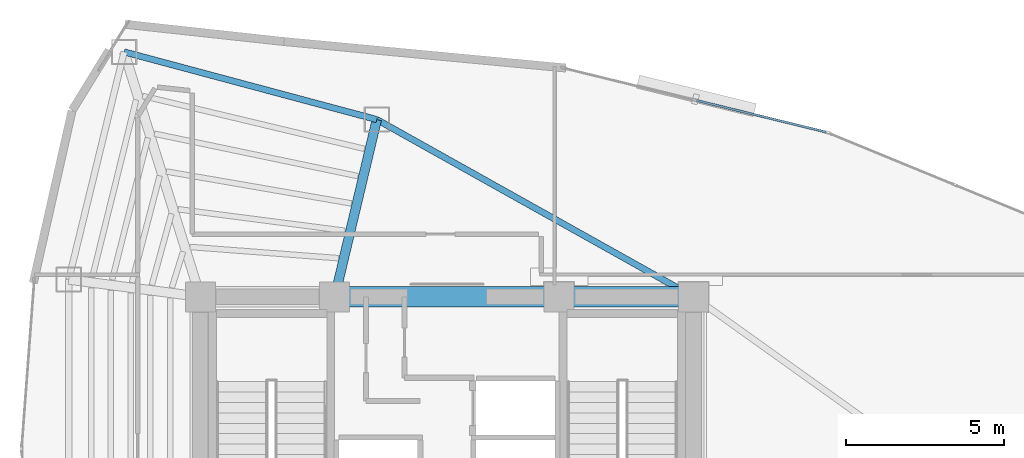
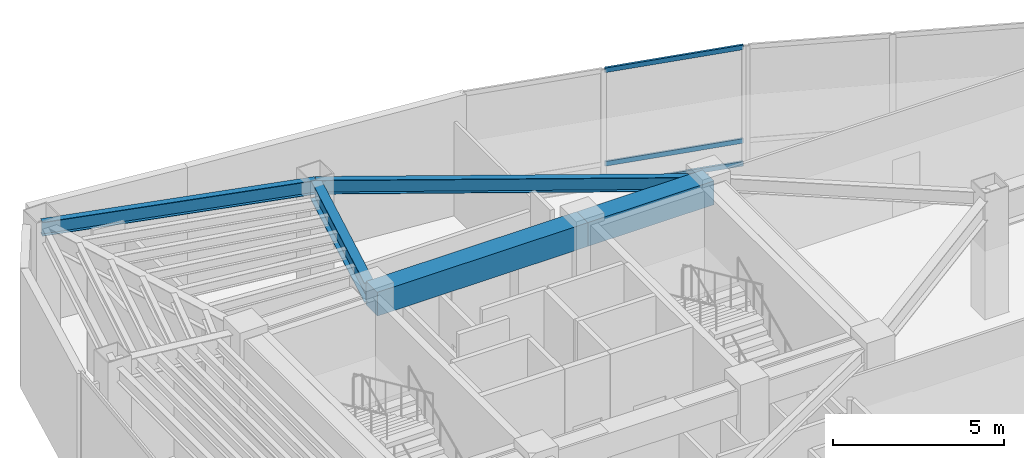
# One storey, part 9 of 17: 5 beams, 3 members, 1 element without a shape of its own.
"""IFC4 building model written with IfcOpenShell, lengths in metres."""

from ifc_helpers import new_model, si_unit, direction, frame, origin, origin_2d, place, context, subcontext, project, spatial, rectangle, hollow_rectangle, i_section, extrude, material, layer, layer_set, material_profile, profile_set, type_object, element, aggregate, save


model = new_model("IFC4")

# Units and contexts
model_context = context("Model", 3, precision=1e-05, world=origin(), true_north=direction((0.0, 1.0)))
body_context = subcontext(model_context, "Body", "Model", "MODEL_VIEW")
ifc_project = project(units=[si_unit("LENGTHUNIT", "METRE"), si_unit("AREAUNIT", "SQUARE_METRE"), si_unit("VOLUMEUNIT", "CUBIC_METRE"), si_unit("PLANEANGLEUNIT", "RADIAN"), si_unit("MASSUNIT", "GRAM", prefix="KILO")], contexts=[model_context])

# Site, building, storey
site_placement = place(None, origin())
site = spatial("IfcSite", under=ifc_project, at=site_placement, CompositionType="ELEMENT")
building_placement = place(site_placement, origin())
building = spatial("IfcBuilding", under=site, at=building_placement, Name="Menara Vayukalpa", CompositionType="ELEMENT")
storey_placement = place(building_placement, frame((0.0, 0.0, 238.139892578125)))
storey = spatial("IfcBuildingStorey", under=building, at=storey_placement, Name="L60", CompositionType="ELEMENT", Elevation=238.139892578125)

# Beams
ifc_material_1 = material(Name="Concrete C60/75", Category="concrete")
ifc_material_profile_1 = material_profile(ifc_material_1, rectangle(XDim=0.64990234375, YDim=0.85009765625, at=origin_2d()), Name="RC 650x850")
ifc_profile_set_1 = profile_set([ifc_material_profile_1], Name="Concrete C60/75")
beam_type_1 = type_object("IfcBeamType", Name="BM-CB1", PredefinedType="BEAM", material=ifc_profile_set_1)
beam_1_placement = place(storey_placement, frame((22.050048828125, 26.800048828125, 3.795166015625), z_axis=(1.0, 0.0, 0.0), x_axis=(0.0, 1.0, 0.0)))
element("IfcBeam", 1, at=beam_1_placement, inside=storey, type_object=beam_type_1, Name="L60 Core Tie Beam CBR5", PredefinedType="BEAM", context=body_context, shape_type="SweptSolid", body=[
    extrude(rectangle(XDim=0.64990234375, YDim=0.85009765625, at=origin_2d()), origin(), (0.0, 0.0, 1.0), 7.099853515625),
])
beam_2_placement = place(storey_placement, frame((29.14990234375, 26.800048828125, 3.795166015625), z_axis=(1.0, 0.0, 0.0), x_axis=(0.0, 1.0, 0.0)))
element("IfcBeam", 2, at=beam_2_placement, inside=storey, type_object=beam_type_1, Name="L60 Core Tie Beam CBR6", PredefinedType="BEAM", context=body_context, shape_type="SweptSolid", body=[
    extrude(rectangle(XDim=0.64990234375, YDim=0.85009765625, at=origin_2d()), origin(), (0.0, 0.0, 1.0), 4.25),
])
ifc_material_2 = material(Name="Steel S355", Category="steel")
ifc_material_profile_2 = material_profile(ifc_material_2, i_section(OverallWidth=0.300048828125, OverallDepth=0.699951171875, WebThickness=0.012939453125, FlangeThickness=0.02392578125, at=origin_2d()), Name="WF 700x300x13x24")
ifc_profile_set_2 = profile_set([ifc_material_profile_2], Name="Steel S355")
beam_type_2 = type_object("IfcBeamType", Name="BM-PG5", PredefinedType="BEAM", material=ifc_profile_set_2)
beam_3_placement = place(storey_placement, frame((22.10791015625, 27.043212890625, 3.8701171875), z_axis=(0.231167310854, 0.972914011818, 0.0), x_axis=(-0.972914011818, 0.231167310854, 0.0)))
element("IfcBeam", 3, at=beam_3_placement, inside=storey, type_object=beam_type_2, Name="L60 Primary Radial Girder RG03", PredefinedType="BEAM", context=body_context, shape_type="SweptSolid", body=[
    extrude(i_section(OverallWidth=0.300048828125, OverallDepth=0.699951171875, WebThickness=0.012939453125, FlangeThickness=0.02392578125, at=origin_2d()), origin(), (0.0, 0.0, 1.0), 5.5107421875),
])
ifc_material_3 = material(Name="Steel S355", Category="steel")
ifc_material_profile_3 = material_profile(ifc_material_3, i_section(OverallWidth=0.199951171875, OverallDepth=0.5, WebThickness=0.010009765625, FlangeThickness=0.01611328125, at=origin_2d()), Name="WF 500x200x10x16")
ifc_profile_set_3 = profile_set([ifc_material_profile_3], Name="Steel S355")
beam_type_3 = type_object("IfcBeamType", Name="BM-SP3", PredefinedType="SPANDREL", material=ifc_profile_set_3)
beam_4_placement = place(storey_placement, frame((33.39990234375, 26.800048828125, 3.97021484375), z_axis=(-0.87270577288, 0.48824648896, 0.0), x_axis=(-0.48824648896, -0.87270577288, 0.0)))
element("IfcBeam", 4, at=beam_4_placement, inside=storey, type_object=beam_type_3, Name="L60 Perimeter Spandrel Beam SP02", PredefinedType="SPANDREL", context=body_context, shape_type="SweptSolid", body=[
    extrude(i_section(OverallWidth=0.199951171875, OverallDepth=0.5, WebThickness=0.010009765625, FlangeThickness=0.01611328125, at=origin_2d()), origin(), (0.0, 0.0, 1.0), 11.479248046875),
])
beam_5_placement = place(storey_placement, frame((23.3818359375, 32.40478515625, 3.97021484375), z_axis=(-0.965978332552, 0.258623009494, 0.0), x_axis=(-0.258623009494, -0.965978332552, 0.0)))
element("IfcBeam", 5, at=beam_5_placement, inside=storey, type_object=beam_type_3, Name="L60 Perimeter Spandrel Beam SP03", PredefinedType="SPANDREL", context=body_context, shape_type="SweptSolid", body=[
    extrude(i_section(OverallWidth=0.199951171875, OverallDepth=0.5, WebThickness=0.010009765625, FlangeThickness=0.01611328125, at=origin_2d()), origin(), (0.0, 0.0, 1.0), 8.274169921875),
])

# Curtain wall, members
ifc_material_4 = material(Name="Anodised Terracotta Aluminium Alloy 6063-T6", Category="masonry")
ifc_layer = layer(ifc_material_4, 0.179931640625)
ifc_layer_set = layer_set([ifc_layer], Name="Anodised Terracotta Aluminium Alloy 6063-T6")
curtain_wall_type = type_object("IfcCurtainWallType", Name="CW-CW4", PredefinedType="USERDEFINED", material=ifc_layer_set)
curtain_wall_placement = place(storey_placement, origin())
curtain_wall = element("IfcCurtainWall", 6, at=curtain_wall_placement, inside=storey, type_object=curtain_wall_type, Name="L60 Sky Bar Cantilever Glazed Curtain Wall CW4 05", ObjectType="UNITISED", PredefinedType="USERDEFINED")
ifc_material_5 = material(Name="Anodised Terracotta Aluminium Alloy 6063-T6", Category="masonry")
ifc_material_profile_4 = material_profile(ifc_material_5, hollow_rectangle(XDim=0.070068359375, YDim=0.1650390625, WallThickness=0.00390625, at=origin_2d()), Name="ALU 70x165x4")
ifc_profile_set_4 = profile_set([ifc_material_profile_4], Name="Anodised Terracotta Aluminium Alloy 6063-T6")
member_type = type_object("IfcMemberType", Name="CWT-CW4", PredefinedType="USERDEFINED", material=ifc_profile_set_4)
member_1_placement = place(storey_placement, frame((37.583251953125, 32.009765625, 0.03515625), z_axis=(-0.971313425115, 0.237802923009, 0.0), x_axis=(-0.237802923009, -0.971313425115, 0.0)))
member_1 = element("IfcMember", 7, at=member_1_placement, type_object=member_type, Name="CW4 transom 1.1", ObjectType="TRANSOM", PredefinedType="USERDEFINED", context=body_context, shape_type="SweptSolid", body=[
    extrude(hollow_rectangle(XDim=0.070068359375, YDim=0.1650390625, WallThickness=0.00390625, at=origin_2d()), origin(), (0.0, 0.0, 1.0), 4.21435546875),
])
member_2_placement = place(storey_placement, frame((37.583251953125, 32.009765625, 0.85009765625), z_axis=(-0.971313425115, 0.237802923009, 0.0), x_axis=(-0.237802923009, -0.971313425115, 0.0)))
member_2 = element("IfcMember", 8, at=member_2_placement, type_object=member_type, Name="CW4 transom 1.2", ObjectType="TRANSOM", PredefinedType="USERDEFINED", context=body_context, shape_type="SweptSolid", body=[
    extrude(hollow_rectangle(XDim=0.070068359375, YDim=0.1650390625, WallThickness=0.00390625, at=origin_2d()), origin(), (0.0, 0.0, 1.0), 4.21435546875),
])
member_3_placement = place(storey_placement, frame((37.583251953125, 32.009765625, 4.18505859375), z_axis=(-0.971313425115, 0.237802923009, 0.0), x_axis=(-0.237802923009, -0.971313425115, 0.0)))
member_3 = element("IfcMember", 9, at=member_3_placement, type_object=member_type, Name="CW4 transom 1.3", ObjectType="TRANSOM", PredefinedType="USERDEFINED", context=body_context, shape_type="SweptSolid", body=[
    extrude(hollow_rectangle(XDim=0.070068359375, YDim=0.1650390625, WallThickness=0.00390625, at=origin_2d()), origin(), (0.0, 0.0, 1.0), 4.21435546875),
])
aggregate(curtain_wall, [member_1, member_2, member_3])

save(model, "model.ifc")
